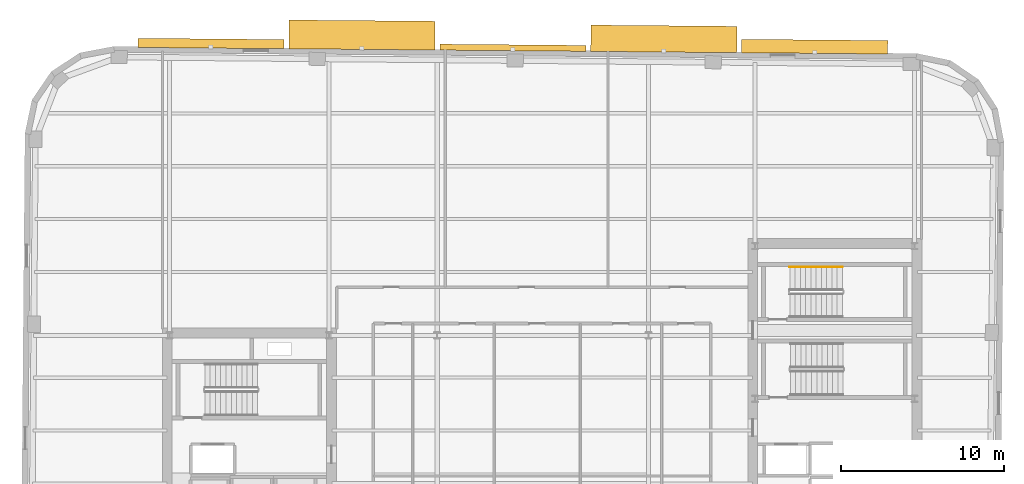
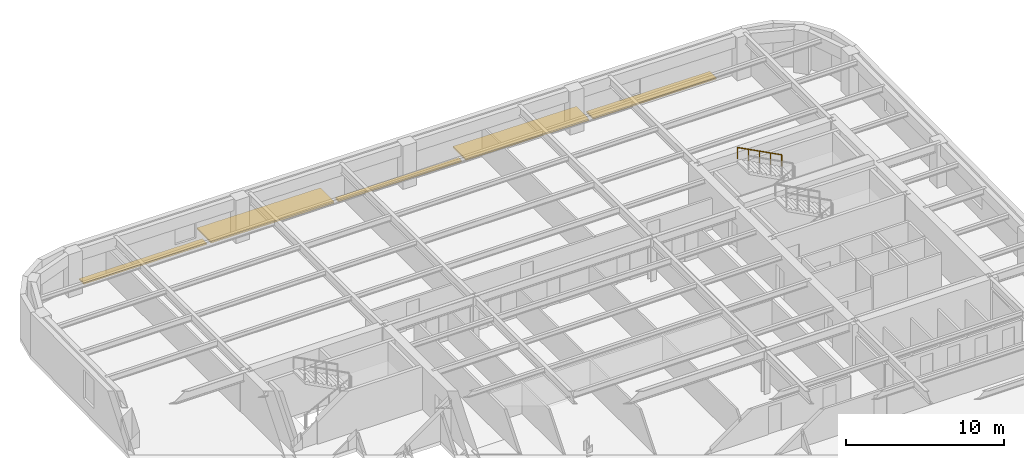
# One storey, part 11 of 11: 5 shading devices, 1 railing.
"""IFC4 building model written with IfcOpenShell, lengths in metres."""

from ifc_helpers import new_model, si_unit, direction, frame, origin, origin_2d, place, context, subcontext, project, spatial, rectangle, circle, extrude, material, type_object, element, save


model = new_model("IFC4")

# Units and contexts
model_context = context("Model", 3, precision=1e-05, world=origin(), true_north=direction((0.0, 1.0)))
body_context = subcontext(model_context, "Body", "Model", "MODEL_VIEW")
ifc_project = project(units=[si_unit("LENGTHUNIT", "METRE"), si_unit("AREAUNIT", "SQUARE_METRE"), si_unit("VOLUMEUNIT", "CUBIC_METRE"), si_unit("PLANEANGLEUNIT", "RADIAN"), si_unit("MASSUNIT", "GRAM", prefix="KILO")], contexts=[model_context])

# Site, building, storey
site_placement = place(None, origin())
site = spatial("IfcSite", under=ifc_project, at=site_placement, CompositionType="ELEMENT")
building_placement = place(site_placement, origin())
building = spatial("IfcBuilding", under=site, at=building_placement, Name="Kolvaren Arena Tower", CompositionType="ELEMENT")
storey_placement = place(building_placement, frame((0.0, 0.0, 207.199951171875)))
storey = spatial("IfcBuildingStorey", under=building, at=storey_placement, Name="L50", CompositionType="ELEMENT", Elevation=207.199951171875)

# Railing
ifc_material_1 = material(Name="Brushed stainless steel handrail", Category="steel")
railing_type = type_object("IfcRailingType", Name="HRAIL-900", PredefinedType="HANDRAIL", material=ifc_material_1)
railing_placement = place(storey_placement, frame((55.919921875, 38.050048828125, 2.04541015625)))
element("IfcRailing", 1, at=railing_placement, inside=storey, type_object=railing_type, Name="L50 ST-E2 stair handrail 2", PredefinedType="HANDRAIL", context=body_context, shape_type="SweptSolid", body=[
    extrude(circle(Radius=0.02392578125, at=origin_2d()), frame((0.0, 0.0, 0.8759765625), z_axis=(-0.884993431791, 0.0, 0.465603506952), x_axis=(0.0, -1.0, 0.0)), (0.0, 0.0, 1.0), 3.6611328125),
    extrude(circle(Radius=0.02099609375, at=origin_2d()), origin(), (0.0, 0.0, 1.0), 0.851806640625),
    extrude(circle(Radius=0.02099609375, at=origin_2d()), frame((-0.81005859375, 0.0, 0.42626953125)), (0.0, 0.0, 1.0), 0.851806640625),
    extrude(circle(Radius=0.02099609375, at=origin_2d()), frame((-1.6201171875, 0.0, 0.852294921875)), (0.0, 0.0, 1.0), 0.851806640625),
    extrude(circle(Radius=0.02099609375, at=origin_2d()), frame((-2.429931640625, 0.0, 1.2783203125)), (0.0, 0.0, 1.0), 0.851806640625),
    extrude(circle(Radius=0.02099609375, at=origin_2d()), frame((-3.239990234375, 0.0, 1.70458984375)), (0.0, 0.0, 1.0), 0.851806640625),
])

# Shading devices
ifc_material_2 = material(Name="Architectural precast GFRC and anodised aluminium sunshade", Category="concrete")
shading_device_type_1 = type_object("IfcShadingDeviceType", Name="SHAD-SINE-A", PredefinedType="USERDEFINED", material=ifc_material_2)
shading_device_1_placement = place(storey_placement, frame((17.091796875, 51.794677734375, -0.139892578125), z_axis=(0.0, 0.0, 1.0), x_axis=(0.999961923064, -0.008726535498, 0.0)))
element("IfcShadingDevice", 2, at=shading_device_1_placement, inside=storey, type_object=shading_device_type_1, Name="Sinusoidal Slab-Edge Sunshade Louvre (L50)", ObjectType="LOUVRE", PredefinedType="USERDEFINED", context=body_context, shape_type="SweptSolid", body=[
    extrude(rectangle(XDim=8.97998046875, YDim=0.564453125, at=origin_2d()), origin(), (0.0, 0.0, 1.0), 0.1201171875),
])
shading_device_2_placement = place(storey_placement, frame((35.650146484375, 51.533935546875, -0.139892578125), z_axis=(0.0, 0.0, 1.0), x_axis=(0.999961923064, -0.008726535498, 0.0)))
element("IfcShadingDevice", 3, at=shading_device_2_placement, inside=storey, type_object=shading_device_type_1, Name="Sinusoidal Slab-Edge Sunshade Louvre (L50)", ObjectType="LOUVRE", PredefinedType="USERDEFINED", context=body_context, shape_type="SweptSolid", body=[
    extrude(rectangle(XDim=8.97998046875, YDim=0.36669921875, at=origin_2d()), origin(), (0.0, 0.0, 1.0), 0.1201171875),
])
shading_device_3_placement = place(storey_placement, frame((54.21142578125, 51.601806640625, -0.139892578125), z_axis=(0.0, 0.0, 1.0), x_axis=(0.999961923064, -0.008726535498, 0.0)))
element("IfcShadingDevice", 4, at=shading_device_3_placement, inside=storey, type_object=shading_device_type_1, Name="Sinusoidal Slab-Edge Sunshade Louvre (L50)", ObjectType="LOUVRE", PredefinedType="USERDEFINED", context=body_context, shape_type="SweptSolid", body=[
    extrude(rectangle(XDim=8.97998046875, YDim=0.82666015625, at=origin_2d()), origin(), (0.0, 0.0, 1.0), 0.1201171875),
])
shading_device_type_2 = type_object("IfcShadingDeviceType", Name="SHAD-SINE-B", PredefinedType="JALOUSIE", material=ifc_material_2)
shading_device_4_placement = place(storey_placement, frame((26.376708984375, 52.316650390625, -0.139892578125), z_axis=(0.0, 0.0, 1.0), x_axis=(0.999961923064, -0.008726535498, 0.0)))
element("IfcShadingDevice", 5, at=shading_device_4_placement, inside=storey, type_object=shading_device_type_2, Name="Sinusoidal Slab-Edge Sunshade Louvre (L50)", PredefinedType="JALOUSIE", context=body_context, shape_type="SweptSolid", body=[
    extrude(rectangle(XDim=8.97998046875, YDim=1.7705078125, at=origin_2d()), origin(), (0.0, 0.0, 1.0), 0.1201171875),
])
shading_device_5_placement = place(storey_placement, frame((44.935302734375, 52.079833984375, -0.139892578125), z_axis=(0.0, 0.0, 1.0), x_axis=(0.999961923064, -0.008726535498, 0.0)))
element("IfcShadingDevice", 6, at=shading_device_5_placement, inside=storey, type_object=shading_device_type_2, Name="Sinusoidal Slab-Edge Sunshade Louvre (L50)", PredefinedType="JALOUSIE", context=body_context, shape_type="SweptSolid", body=[
    extrude(rectangle(XDim=8.97998046875, YDim=1.62060546875, at=origin_2d()), origin(), (0.0, 0.0, 1.0), 0.1201171875),
])

save(model, "model.ifc")
